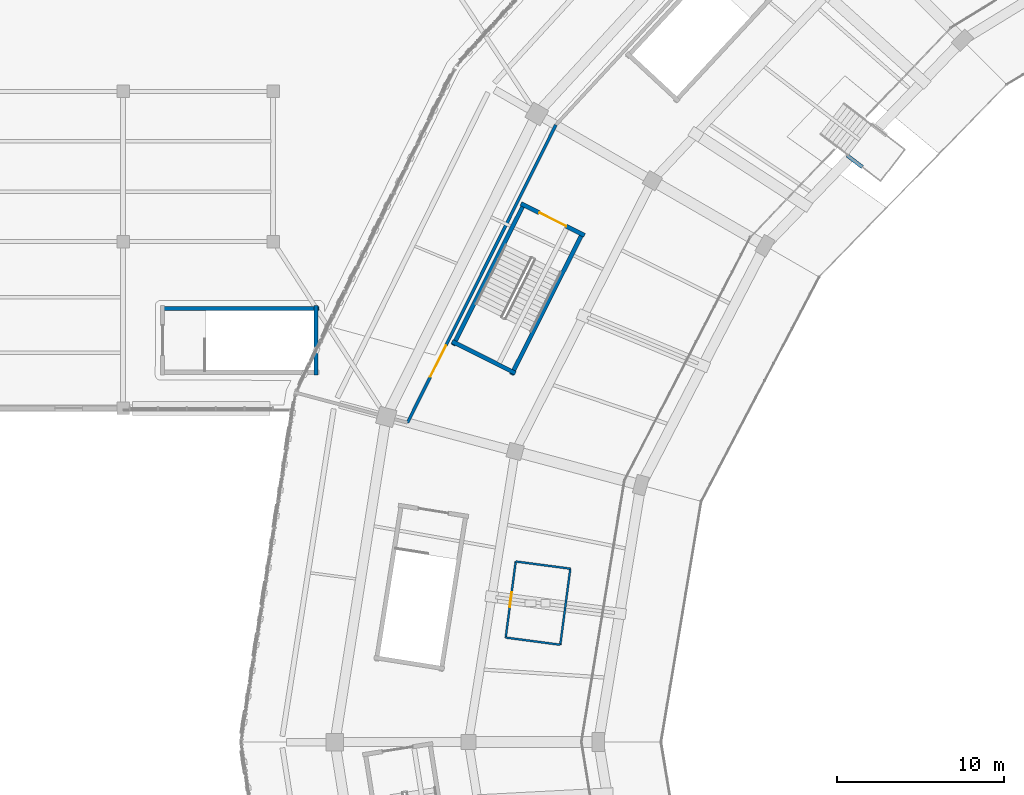
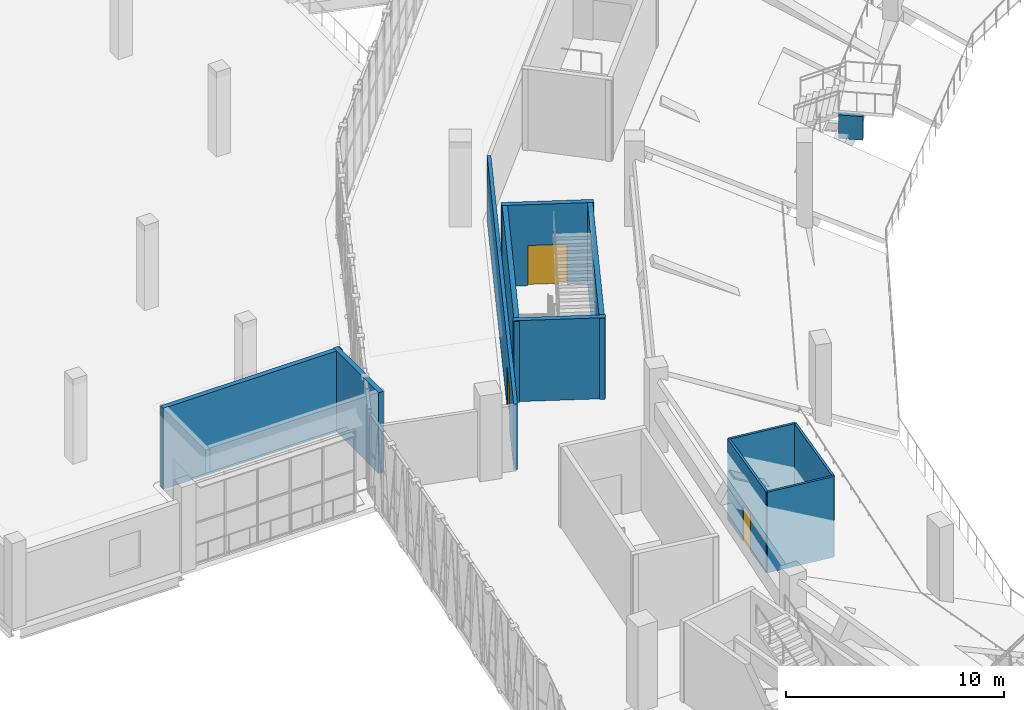
# One storey, part 94 of 152: 12 walls, 3 doors, 3 openings.
"""IFC4 building model written with IfcOpenShell, lengths in metres."""

from ifc_helpers import new_model, si_unit, direction, frame, frame_2d, origin, place, context, subcontext, project, spatial, rectangle, extrude, material, layer, layer_set, type_object, element, fill, save


model = new_model("IFC4")

# Units and contexts
model_context = context("Model", 3, precision=1e-05, world=origin(), true_north=direction((0.0, 1.0)))
body_context = subcontext(model_context, "Body", "Model", "MODEL_VIEW")
ifc_project = project(units=[si_unit("LENGTHUNIT", "METRE"), si_unit("AREAUNIT", "SQUARE_METRE"), si_unit("VOLUMEUNIT", "CUBIC_METRE"), si_unit("PLANEANGLEUNIT", "RADIAN"), si_unit("MASSUNIT", "GRAM", prefix="KILO")], contexts=[model_context])

# Site, building, storey
site_placement = place(None, origin())
site = spatial("IfcSite", under=ifc_project, at=site_placement, CompositionType="ELEMENT")
building_placement = place(site_placement, origin())
building = spatial("IfcBuilding", under=site, at=building_placement, Name="Zevraka Park Crest Stadium", CompositionType="ELEMENT")
storey_placement = place(building_placement, frame((0.0, 0.0, 15.0)))
storey = spatial("IfcBuildingStorey", under=building, at=storey_placement, Name="L03", CompositionType="ELEMENT", Elevation=15.0)

# Walls
ifc_material_1 = material(Name="Moisture-resistant sanitary partition", Category="other")
ifc_layer_1 = layer(ifc_material_1, 0.1201171875)
ifc_layer_set_1 = layer_set([ifc_layer_1], Name="Moisture-resistant sanitary partition")
wall_type_1 = type_object("IfcWallType", Name="IW04", PredefinedType="PARTITIONING", material=ifc_layer_set_1)
wall_1_placement = place(storey_placement, frame((35.81005859375, 102.39306640625, 0.0), z_axis=(0.0, 0.0, 1.0), x_axis=(-0.130446275685, -0.991455379309, 0.0)))
element("IfcWall", 1, at=wall_1_placement, inside=storey, type_object=wall_type_1, Name="Sanitary Enclosure Wall IW04 Female WC L03-002-1", PredefinedType="PARTITIONING", context=body_context, shape_type="SweptSolid", body=[
    extrude(rectangle(XDim=4.600341796875, YDim=0.1201171875, at=frame_2d((2.30029296875, 0.0))), origin(), (0.0, 0.0, 1.0), 4.52001953125),
])
wall_2_placement = place(storey_placement, frame((35.2099609375, 97.83203125, 0.0), z_axis=(0.0, 0.0, 1.0), x_axis=(-0.991439181279, 0.130569329574, 0.0)))
element("IfcWall", 2, at=wall_2_placement, inside=storey, type_object=wall_type_1, Name="Sanitary Enclosure Wall IW04 Female WC L03-002-2", PredefinedType="PARTITIONING", context=body_context, shape_type="SweptSolid", body=[
    extrude(rectangle(XDim=3.30029296875, YDim=0.1201171875, at=frame_2d((1.650146484375, 0.0))), origin(), (0.0, 0.0, 1.0), 4.52001953125),
])

# Wall, opening, door
wall_3_placement = place(storey_placement, frame((31.93798828125, 98.262939453125, 0.0), z_axis=(0.0, 0.0, 1.0), x_axis=(0.130473735985, 0.991451765956, 0.0)))
wall_3 = element("IfcWall", 3, at=wall_3_placement, inside=storey, type_object=wall_type_1, Name="Sanitary Enclosure Wall IW04 Female WC L03-002-3", PredefinedType="PARTITIONING", context=body_context, shape_type="SweptSolid", body=[
    extrude(rectangle(XDim=4.599365234375, YDim=0.1201171875, at=frame_2d((2.2998046875, 0.0))), origin(), (0.0, 0.0, 1.0), 4.52001953125),
])
opening_1_placement = place(wall_3_placement, frame((1.85009765625, 0.0, 0.0)))
opening_1 = element("IfcOpeningElement", 4, at=opening_1_placement, cuts=wall_3, Name="Opening D-L03-347", PredefinedType="OPENING", context=body_context, shape_type="SweptSolid", body=[
    extrude(rectangle(XDim=0.89990234375, YDim=2.010009765625, at=frame_2d((0.449951171875, 1.0048828125))), frame((0.0, 0.070068359375, 0.0), z_axis=(0.0, -1.0, 0.0), x_axis=(1.0, 0.0, 0.0)), (0.0, 0.0, 1.0), 0.14013671875),
])
ifc_material_2 = material(Name="Solid-core hardwood timber leaf in steel frame", Category="steel")
door_type_1 = type_object("IfcDoorType", Name="DR01", OperationType="NOTDEFINED", PredefinedType="DOOR", material=ifc_material_2)
door_1_placement = place(opening_1_placement, origin())
door_1 = element("IfcDoor", 5, at=door_1_placement, inside=storey, type_object=door_type_1, Name="Female WC Door D-L03-347", OperationType="SINGLE_SWING_LEFT", OverallHeight=2.010009765625, OverallWidth=0.89990234375, PredefinedType="DOOR", context=body_context, shape_type="SweptSolid", body=[
    extrude(rectangle(XDim=0.89990234375, YDim=2.010009765625, at=frame_2d((0.449951171875, 1.0048828125))), frame((0.0, 0.02490234375, 0.0), z_axis=(0.0, -1.0, 0.0), x_axis=(1.0, 0.0, 0.0)), (0.0, 0.0, 1.0), 0.050048828125),
])
fill(opening_1, door_1)

# Wall
wall_4_placement = place(storey_placement, frame((32.5380859375, 102.822998046875, 0.0), z_axis=(0.0, 0.0, 1.0), x_axis=(0.991477445815, -0.13027844964, 0.0)))
element("IfcWall", 6, at=wall_4_placement, inside=storey, type_object=wall_type_1, Name="Sanitary Enclosure Wall IW04 Female WC L03-002-4", PredefinedType="PARTITIONING", context=body_context, shape_type="SweptSolid", body=[
    extrude(rectangle(XDim=3.300048828125, YDim=0.1201171875, at=frame_2d((1.64990234375, 0.0))), origin(), (0.0, 0.0, 1.0), 4.52001953125),
])

# Wall, opening, door
ifc_material_3 = material(Name="Fire-rated twin-stud acoustic drywall", Category="other")
ifc_layer_2 = layer(ifc_material_3, 0.179931640625)
ifc_layer_set_2 = layer_set([ifc_layer_2], Name="Fire-rated twin-stud acoustic drywall")
wall_type_2 = type_object("IfcWallType", Name="IW06", PredefinedType="PARTITIONING", material=ifc_layer_set_2)
wall_5_placement = place(storey_placement, frame((34.94091796875, 128.989990234375, 0.0), z_axis=(0.0, 0.0, 1.0), x_axis=(-0.44590512567, -0.895080230427, 0.0)))
wall_5 = element("IfcWall", 7, at=wall_5_placement, inside=storey, type_object=wall_type_2, Name="Interior Partition IW06 Park View Supporter Bar L03", PredefinedType="PARTITIONING", context=body_context, shape_type="SweptSolid", body=[
    extrude(rectangle(XDim=19.9345703125, YDim=0.179931640625, at=frame_2d((9.96728515625, 0.0))), origin(), (0.0, 0.0, 1.0), 3.6650390625),
])
opening_2_placement = place(wall_5_placement, frame((14.762939453125, 0.0, 0.0)))
opening_2 = element("IfcOpeningElement", 8, at=opening_2_placement, cuts=wall_5, Name="Opening D-L03-444", PredefinedType="OPENING", context=body_context, shape_type="SweptSolid", body=[
    extrude(rectangle(XDim=2.10009765625, YDim=2.35009765625, at=frame_2d((1.050048828125, 1.175048828125))), frame((0.0, 0.099853515625, 0.0), z_axis=(0.0, -1.0, 0.0), x_axis=(1.0, 0.0, 0.0)), (0.0, 0.0, 1.0), 0.199951171875),
])
ifc_material_4 = material(Name="Solid-core hardwood timber leaf in steel frame", Category="steel")
door_type_2 = type_object("IfcDoorType", Name="DR17", OperationType="NOTDEFINED", PredefinedType="DOOR", material=ifc_material_4)
door_2_placement = place(opening_2_placement, origin())
door_2 = element("IfcDoor", 9, at=door_2_placement, inside=storey, type_object=door_type_2, Name="Park View Supporter Bar Door D-L03-444", OperationType="DOUBLE_DOOR_SINGLE_SWING", OverallHeight=2.35009765625, OverallWidth=2.10009765625, PredefinedType="DOOR", context=body_context, shape_type="SweptSolid", body=[
    extrude(rectangle(XDim=2.10009765625, YDim=2.35009765625, at=frame_2d((1.050048828125, 1.175048828125))), frame((0.0, 0.02490234375, 0.0), z_axis=(0.0, -1.0, 0.0), x_axis=(1.0, 0.0, 0.0)), (0.0, 0.0, 1.0), 0.050048828125),
])
fill(opening_2, door_2)

# Walls
ifc_material_5 = material(Name="Concrete C40/50", Category="concrete")
ifc_layer_3 = layer(ifc_material_5, 0.25)
ifc_layer_set_3 = layer_set([ifc_layer_3], Name="Concrete C40/50")
wall_type_3 = type_object("IfcWallType", Name="SW01", PredefinedType="SHEAR", material=ifc_layer_set_3)
wall_6_placement = place(storey_placement, frame((33.0634765625, 124.313232421875, 0.0), z_axis=(0.0, 0.0, 1.0), x_axis=(-0.447919041961, -0.894074119885, 0.0)))
element("IfcWall", 10, at=wall_6_placement, inside=storey, type_object=wall_type_3, Name="Stair Core Shear Wall SW01 ST11 L03 left", PredefinedType="SHEAR", context=body_context, shape_type="SweptSolid", body=[
    extrude(rectangle(XDim=9.5498046875, YDim=0.25, at=frame_2d((4.77490234375, 0.0))), origin(), (0.0, 0.0, 1.0), 4.5400390625),
])
wall_7_placement = place(storey_placement, frame((32.29052734375, 114.01904296875, 0.0), z_axis=(0.0, 0.0, 1.0), x_axis=(0.4479088042, 0.894079248792, 0.0)))
element("IfcWall", 11, at=wall_7_placement, inside=storey, type_object=wall_type_3, Name="Stair Core Shear Wall SW01 ST11 L03 right", PredefinedType="SHEAR", context=body_context, shape_type="SweptSolid", body=[
    extrude(rectangle(XDim=9.550048828125, YDim=0.25, at=frame_2d((4.77490234375, 0.0))), origin(), (0.0, 0.0, 1.0), 4.5400390625),
])

# Wall, opening, door
wall_8_placement = place(storey_placement, frame((36.664306640625, 122.36962890625, 0.0), z_axis=(0.0, 0.0, 1.0), x_axis=(-0.894071595331, 0.447924081092, 0.0)))
wall_8 = element("IfcWall", 12, at=wall_8_placement, inside=storey, type_object=wall_type_3, Name="Stair Core Shear Wall SW01 ST11 L03 near", PredefinedType="SHEAR", context=body_context, shape_type="SweptSolid", body=[
    extrude(rectangle(XDim=4.260009765625, YDim=0.25, at=frame_2d((2.1298828125, 0.0))), origin(), (0.0, 0.0, 1.0), 4.5400390625),
])
opening_3_placement = place(wall_8_placement, frame((1.22998046875, 0.0, 0.0)))
opening_3 = element("IfcOpeningElement", 13, at=opening_3_placement, cuts=wall_8, Name="Opening D-L03-066", PredefinedType="OPENING", context=body_context, shape_type="SweptSolid", body=[
    extrude(rectangle(XDim=1.800048828125, YDim=2.25, at=frame_2d((0.89990234375, 1.125))), frame((0.0, 0.135009765625, 0.0), z_axis=(0.0, -1.0, 0.0), x_axis=(1.0, 0.0, 0.0)), (0.0, 0.0, 1.0), 0.27001953125),
])
ifc_material_6 = material(Name="Solid-core hardwood timber leaf in steel frame", Category="steel")
door_type_3 = type_object("IfcDoorType", Name="DR04", OperationType="NOTDEFINED", PredefinedType="DOOR", material=ifc_material_6)
door_3_placement = place(opening_3_placement, origin())
door_3 = element("IfcDoor", 14, at=door_3_placement, inside=storey, type_object=door_type_3, Name="Protected Stair Entry Door ST11 L03", OperationType="DOUBLE_DOOR_SINGLE_SWING", OverallHeight=2.25, OverallWidth=1.800048828125, PredefinedType="DOOR", context=body_context, shape_type="SweptSolid", body=[
    extrude(rectangle(XDim=1.800048828125, YDim=2.25, at=frame_2d((0.89990234375, 1.125))), frame((0.0, 0.02490234375, 0.0), z_axis=(0.0, -1.0, 0.0), x_axis=(1.0, 0.0, 0.0)), (0.0, 0.0, 1.0), 0.050048828125),
])
fill(opening_3, door_3)

# Walls
wall_9_placement = place(storey_placement, frame((28.716796875, 116.016357421875, 0.0), z_axis=(0.0, 0.0, 1.0), x_axis=(0.894083048484, -0.447901219481, 0.0)))
element("IfcWall", 15, at=wall_9_placement, inside=storey, type_object=wall_type_3, Name="Stair Core Shear Wall SW01 ST11 L03 far", PredefinedType="SHEAR", context=body_context, shape_type="SweptSolid", body=[
    extrude(rectangle(XDim=4.259765625, YDim=0.25, at=frame_2d((2.1298828125, 0.0))), origin(), (0.0, 0.0, 1.0), 4.5400390625),
])
wall_10_placement = place(storey_placement, frame((20.75, 117.989990234375, 0.0), z_axis=(0.0, 0.0, 1.0), x_axis=(-1.0, 0.0, 0.0)))
element("IfcWall", 16, at=wall_10_placement, inside=storey, type_object=wall_type_3, Name="Stair Core Shear Wall SW01 ST48 L03 right", PredefinedType="SHEAR", context=body_context, shape_type="SweptSolid", body=[
    extrude(rectangle(XDim=9.5, YDim=0.25, at=frame_2d((4.75, 0.0))), origin(), (0.0, 0.0, 1.0), 4.5400390625),
])
wall_11_placement = place(storey_placement, frame((20.56494140625, 114.0, 0.0), z_axis=(0.0, 0.0, 1.0), x_axis=(0.0, 1.0, 0.0)))
element("IfcWall", 17, at=wall_11_placement, inside=storey, type_object=wall_type_3, Name="Stair Core Shear Wall SW01 ST48 L03 far", PredefinedType="SHEAR", context=body_context, shape_type="SweptSolid", body=[
    extrude(rectangle(XDim=4.159912109375, YDim=0.25, at=frame_2d((2.080078125, 0.0))), origin(), (0.0, 0.0, 1.0), 4.5400390625),
])
ifc_material_7 = material(Name="Concrete C40/50", Category="concrete")
ifc_layer_4 = layer(ifc_material_7, 0.219970703125)
ifc_layer_set_4 = layer_set([ifc_layer_4], Name="Concrete C40/50")
wall_type_4 = type_object("IfcWallType", Name="SW02", PredefinedType="SHEAR", material=ifc_layer_set_4)
wall_12_placement = place(storey_placement, frame((52.4130859375, 127.156982421875, -0.300048828125), z_axis=(0.0, 0.0, 1.0), x_axis=(0.79308717536, -0.609108144979, 0.0)))
element("IfcWall", 18, at=wall_12_placement, inside=storey, type_object=wall_type_4, Name="Vomitory Portal Support Wall SW02 VS-12-1", PredefinedType="SHEAR", context=body_context, shape_type="SweptSolid", body=[
    extrude(rectangle(XDim=1.135986328125, YDim=0.219970703125, at=frame_2d((0.56787109375, 0.0))), origin(), (0.0, 0.0, 1.0), 1.320068359375),
])

save(model, "model.ifc")
